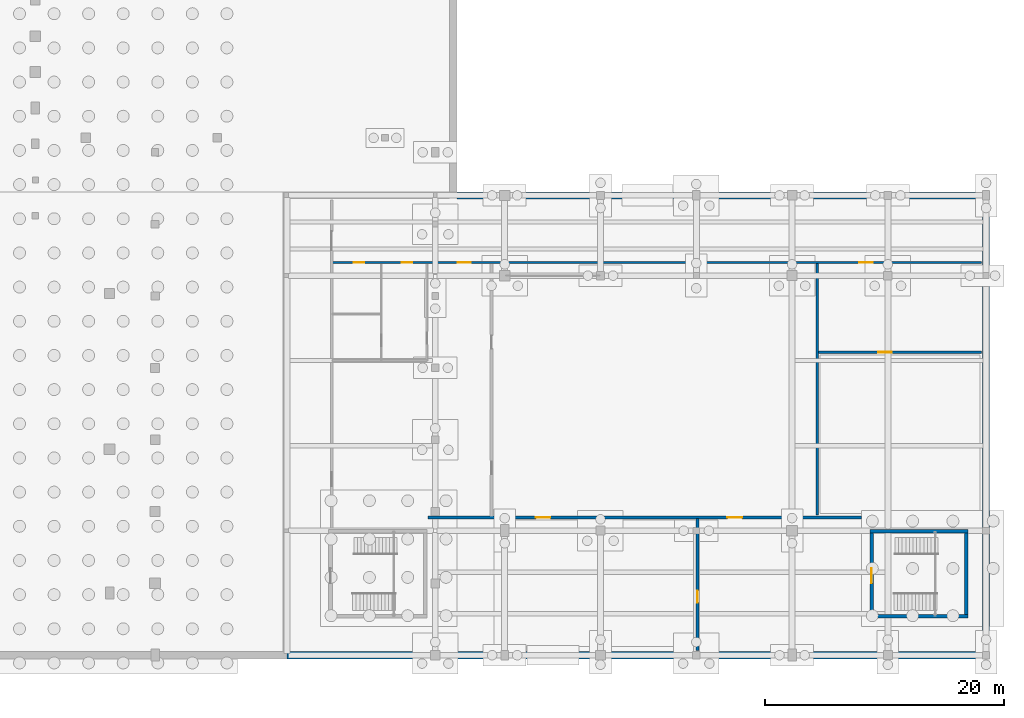
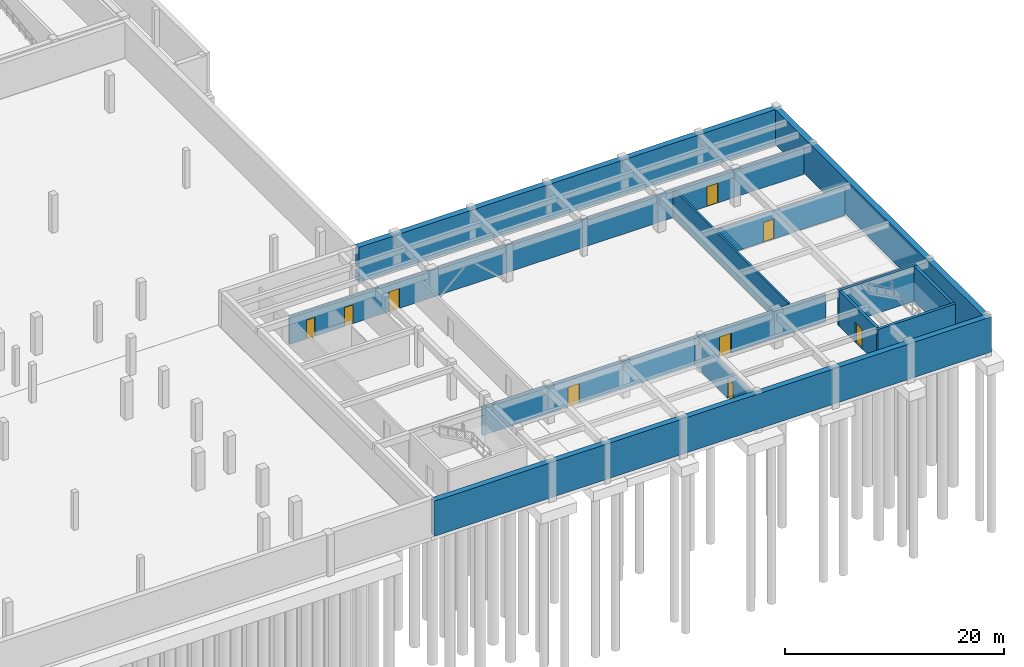
# One storey, part 29 of 36: 12 walls, 9 doors, 9 openings.
"""IFC4 building model written with IfcOpenShell, lengths in metres."""

import ifcopenshell
import ifcopenshell.guid

model = None  # the IFC model being written
_history = None  # IfcOwnerHistory: only IFC2X3 demands one
_inside = {}  # id of a spatial element -> (the spatial element, [elements in it])
_under = {}  # id of a project, library or spatial element -> (it, [spatial elements below it])
_declared = {}  # id of a project -> (the project, [libraries it declares])
_typed = {}  # id of a type object -> (the type object, [elements of that type])
_made_of = {}  # id of a material, layer set ... -> (it, [elements and type objects made of it])


def new_model(schema):
    """Start an empty IFC model of exactly this schema.

    Asked for "IFC4X3", IfcOpenShell would pick the latest addendum, in which some entities
    have other attributes; the version numbers below select the first issue.
    IFC2X3 requires an IfcOwnerHistory on every rooted entity: one is made here for all.
    """
    global model, _history
    if schema == "IFC4X3":
        model = ifcopenshell.file(schema_version=(4, 3, 0, 0))
    else:
        model = ifcopenshell.file(schema=schema)
    _inside.clear()
    _under.clear()
    _declared.clear()
    _typed.clear()
    _made_of.clear()
    _history = None
    if model.schema == "IFC2X3":
        org = make("IfcOrganization", Name="unknown")
        user = make(
            "IfcPersonAndOrganization",
            ThePerson=make("IfcPerson", FamilyName="unknown"),
            TheOrganization=org,
        )
        app = make(
            "IfcApplication",
            ApplicationDeveloper=org,
            Version="unknown",
            ApplicationFullName="unknown",
            ApplicationIdentifier="unknown",
        )
        _history = make(
            "IfcOwnerHistory",
            OwningUser=user,
            OwningApplication=app,
            ChangeAction="ADDED",
            CreationDate=0,
        )
    return model


def make(cls, **values):
    """One entity of the class cls with the attributes given. An attribute that is None is left unset."""
    return model.create_entity(
        cls, **{name: value for name, value in values.items() if value is not None}
    )


def rooted(cls, **values):
    """An entity with a GlobalId (a new one), such as an element, a storey or a relation."""
    return make(cls, GlobalId=ifcopenshell.guid.new(), OwnerHistory=_history, **values)


def si_unit(unit_type, name, prefix=None):
    """IfcSIUnit, for example si_unit("LENGTHUNIT", "METRE", prefix="MILLI")."""
    return make("IfcSIUnit", UnitType=unit_type, Prefix=prefix, Name=name)


def assignment(units):
    """IfcUnitAssignment: the units of a project."""
    return None if units is None else make("IfcUnitAssignment", Units=units)


def point(xyz):
    """IfcCartesianPoint."""
    return None if xyz is None else make("IfcCartesianPoint", Coordinates=xyz)


def direction(xyz):
    """IfcDirection."""
    return None if xyz is None else make("IfcDirection", DirectionRatios=xyz)


def frame(location, z_axis=None, x_axis=None):
    """IfcAxis2Placement3D, a coordinate frame: its origin and axes. An axis left out is left unset."""
    return make(
        "IfcAxis2Placement3D",
        Location=point(location),
        Axis=direction(z_axis),
        RefDirection=direction(x_axis),
    )


def frame_2d(location, x_axis=None):
    """IfcAxis2Placement2D, a coordinate frame in the plane: its origin and x axis."""
    return make(
        "IfcAxis2Placement2D", Location=point(location), RefDirection=direction(x_axis)
    )


def origin():
    """The frame at (0, 0, 0) with its axes left unset."""
    return frame((0.0, 0.0, 0.0))


def place(relative_to, where):
    """IfcLocalPlacement: puts the frame where relative to a parent placement (None: the world)."""
    return make(
        "IfcLocalPlacement", PlacementRelTo=relative_to, RelativePlacement=where
    )


def context(
    kind, dimensions, precision=None, world=None, true_north=None, identifier=None
):
    """IfcGeometricRepresentationContext, for example the 3D "Model" context."""
    return make(
        "IfcGeometricRepresentationContext",
        ContextIdentifier=identifier,
        ContextType=kind,
        CoordinateSpaceDimension=dimensions,
        Precision=precision,
        WorldCoordinateSystem=world,
        TrueNorth=true_north,
    )


def subcontext(parent, identifier, kind, view, scale=None):
    """IfcGeometricRepresentationSubContext, for example "Body" below "Model"."""
    return make(
        "IfcGeometricRepresentationSubContext",
        ContextIdentifier=identifier,
        ContextType=kind,
        ParentContext=parent,
        TargetScale=scale,
        TargetView=view,
    )


def project(units=None, contexts=None):
    """IfcProject with its units and contexts."""
    return rooted(
        "IfcProject",
        Name="project",
        RepresentationContexts=contexts,
        UnitsInContext=assignment(units),
    )


def spatial(cls, under=None, at=None, **own):
    """A site, building, storey or space (cls), placed at a placement, below another one or the project."""
    s = rooted(cls, ObjectPlacement=at, **own)
    if under is not None:
        _under.setdefault(under.id(), (under, []))[1].append(s)
    return s


def profile(cls, at=None, kind="AREA", **sizes):
    """A parametric profile (cls). Its sizes go by their IFC names, for example OverallWidth=200.0."""
    return make(cls, ProfileType=kind, Position=at, **sizes)


def rectangle(**sizes):
    """IfcRectangleProfileDef."""
    return profile("IfcRectangleProfileDef", **sizes)


def extrude(swept, where, along, depth):
    """IfcExtrudedAreaSolid: the profile swept, set in the frame where, extruded along a direction by depth."""
    return make(
        "IfcExtrudedAreaSolid",
        SweptArea=swept,
        Position=where,
        ExtrudedDirection=direction(along),
        Depth=depth,
    )


def shape(context_of_items, identifier, shape_type, items):
    """IfcShapeRepresentation: the items that make up one representation, for example the "Body"."""
    return make(
        "IfcShapeRepresentation",
        ContextOfItems=context_of_items,
        RepresentationIdentifier=identifier,
        RepresentationType=shape_type,
        Items=items,
    )


def material(Name=None, Category=None):
    """IfcMaterial."""
    return make("IfcMaterial", Name=Name, Category=Category)


def layer(
    of_material, thickness, ventilated=None, Name=None, Category=None, Priority=None
):
    """IfcMaterialLayer: one layer of a wall or slab, of a material (None: an air gap)."""
    return make(
        "IfcMaterialLayer",
        Material=of_material,
        LayerThickness=thickness,
        IsVentilated=ventilated,
        Name=Name,
        Category=Category,
        Priority=Priority,
    )


def layer_set(layers, Name=None):
    """IfcMaterialLayerSet."""
    return make("IfcMaterialLayerSet", MaterialLayers=layers, LayerSetName=Name)


def made_of(thing, what):
    """Note that an element or type object is made of a material, layer set ...; save() writes the relation."""
    if what is not None:
        _made_of.setdefault(what.id(), (what, []))[1].append(thing)
    return thing


def type_object(cls, material=None, **own):
    """A type object (cls), such as IfcWallType, which elements share."""
    return made_of(rooted(cls, **own), material)


def element(
    cls,
    number,
    at=None,
    inside=None,
    cuts=None,
    type_object=None,
    material=None,
    context=None,
    identifier="Body",
    shape_type=None,
    held_by="IfcProductDefinitionShape",
    body=None,
    shapes=None,
    **own,
):
    """One element of the class cls, such as IfcWall. Its Tag is "e" and its number.

    at: its placement. inside: the storey or other place that contains it. cuts: it is an
    opening in that element (IfcRelVoidsElement). A single representation is given by context,
    identifier, shape_type and body (its items); several are given by shapes. held_by: the class
    of the entity that holds the representations. save() writes the other relations.
    """
    e = rooted(cls, Tag="e%d" % number, ObjectPlacement=at, **own)
    if body is not None:
        shapes = [shape(context, identifier, shape_type, body)]
    if shapes is not None:
        e.Representation = make(held_by, Representations=shapes)
    if inside is not None:
        _inside.setdefault(inside.id(), (inside, []))[1].append(e)
    if cuts is not None:
        rooted(
            "IfcRelVoidsElement", RelatingBuildingElement=cuts, RelatedOpeningElement=e
        )
    if type_object is not None:
        _typed.setdefault(type_object.id(), (type_object, []))[1].append(e)
    return made_of(e, material)


def fill(opening, filler):
    """IfcRelFillsElement: the door or window that sits in an opening."""
    return rooted(
        "IfcRelFillsElement",
        RelatingOpeningElement=opening,
        RelatedBuildingElement=filler,
    )


def aggregate(whole, parts):
    """IfcRelAggregates: a whole, such as a stair, and the parts it consists of."""
    return rooted("IfcRelAggregates", RelatingObject=whole, RelatedObjects=parts)


def save(model, path):
    """Write the relations noted so far, then the file.

    IfcRelAggregates (storeys below a building ...), IfcRelContainedInSpatialStructure (elements
    in a storey), IfcRelDefinesByType, IfcRelAssociatesMaterial and IfcRelDeclares: one each for
    every whole, place, type object, material and project.
    """
    for whole, parts in _under.values():
        aggregate(whole, parts)
    for where, things in _inside.values():
        rooted(
            "IfcRelContainedInSpatialStructure",
            RelatedElements=things,
            RelatingStructure=where,
        )
    for kind, things in _typed.values():
        rooted("IfcRelDefinesByType", RelatedObjects=things, RelatingType=kind)
    for what, things in _made_of.values():
        rooted("IfcRelAssociatesMaterial", RelatedObjects=things, RelatingMaterial=what)
    for by, libraries in _declared.values():
        rooted("IfcRelDeclares", RelatingContext=by, RelatedDefinitions=libraries)
    model.write(path)


model = new_model("IFC4")

# Units and contexts
model_context = context("Model", 3, precision=1e-05, world=origin(), true_north=direction((0.0, 1.0)))
body_context = subcontext(model_context, "Body", "Model", "MODEL_VIEW")
ifc_project = project(units=[si_unit("LENGTHUNIT", "METRE"), si_unit("AREAUNIT", "SQUARE_METRE"), si_unit("VOLUMEUNIT", "CUBIC_METRE"), si_unit("PLANEANGLEUNIT", "RADIAN"), si_unit("MASSUNIT", "GRAM", prefix="KILO"), si_unit("THERMODYNAMICTEMPERATUREUNIT", "KELVIN"), si_unit("POWERUNIT", "WATT")], contexts=[model_context])

# Site, building, storey
site_placement = place(None, origin())
site = spatial("IfcSite", under=ifc_project, at=site_placement, CompositionType="ELEMENT")
building_placement = place(site_placement, origin())
building = spatial("IfcBuilding", under=site, at=building_placement, Name="Solvatero Civic Police Headquarters", CompositionType="ELEMENT")
storey_placement = place(building_placement, frame((0.0, 0.0, -8.39990234375)))
storey = spatial("IfcBuildingStorey", under=building, at=storey_placement, Name="B02", CompositionType="ELEMENT", Elevation=-8.39990234375)

# Wall, openings, doors
ifc_material_1 = material(Name="Concrete Blockwork", Category="masonry")
ifc_layer_1 = layer(ifc_material_1, 0.179931640625)
ifc_layer_set_1 = layer_set([ifc_layer_1], Name="Concrete Blockwork")
wall_type_1 = type_object("IfcWallType", Name="WL-PTN-180", PredefinedType="PARTITIONING", material=ifc_layer_set_1)
wall_1_placement = place(storey_placement, frame((113.60009765625, 37.60009765625, 0.0), z_axis=(0.0, 0.0, 1.0), x_axis=(1.0, 0.0, 0.0)))
wall_1 = element("IfcWall", 1, at=wall_1_placement, inside=storey, type_object=wall_type_1, Name="Interior Partition WLP-B02-CORR-S", PredefinedType="PARTITIONING", context=body_context, shape_type="SweptSolid", body=[
    extrude(rectangle(XDim=54.199951171875, YDim=0.179931640625, at=frame_2d((27.10009765625, 0.0))), origin(), (0.0, 0.0, 1.0), 3.10791015625),
])
opening_1_placement = place(wall_1_placement, frame((10.5, 0.0, 0.0)))
opening_1 = element("IfcOpeningElement", 2, at=opening_1_placement, cuts=wall_1, Name="Opening ID-08", PredefinedType="OPENING", context=body_context, shape_type="SweptSolid", body=[
    extrude(rectangle(XDim=1.080078125, YDim=2.219970703125, at=frame_2d((0.5400390625, 1.10986328125))), frame((0.0, 0.099853515625, 0.0), z_axis=(0.0, -1.0, 0.0), x_axis=(1.0, 0.0, 0.0)), (0.0, 0.0, 1.0), 0.199951171875),
])
opening_2_placement = place(wall_1_placement, frame((44.0, 0.0, 0.0)))
opening_2 = element("IfcOpeningElement", 3, at=opening_2_placement, cuts=wall_1, Name="Opening ID-09", PredefinedType="OPENING", context=body_context, shape_type="SweptSolid", body=[
    extrude(rectangle(XDim=1.1201171875, YDim=2.199951171875, at=frame_2d((0.56005859375, 1.10009765625))), frame((0.0, 0.099853515625, 0.0), z_axis=(0.0, -1.0, 0.0), x_axis=(1.0, 0.0, 0.0)), (0.0, 0.0, 1.0), 0.199951171875),
])
opening_3_placement = place(wall_1_placement, frame((1.800048828125, 0.0, 0.0)))
opening_3 = element("IfcOpeningElement", 4, at=opening_3_placement, cuts=wall_1, Name="Opening ID-01", PredefinedType="OPENING", context=body_context, shape_type="SweptSolid", body=[
    extrude(rectangle(XDim=0.8798828125, YDim=2.10009765625, at=frame_2d((0.43994140625, 1.050048828125))), frame((0.0, 0.099853515625, 0.0), z_axis=(0.0, -1.0, 0.0), x_axis=(1.0, 0.0, 0.0)), (0.0, 0.0, 1.0), 0.199951171875),
])
opening_4_placement = place(wall_1_placement, frame((5.800048828125, 0.0, 0.0)))
opening_4 = element("IfcOpeningElement", 5, at=opening_4_placement, cuts=wall_1, Name="Opening ID-02", PredefinedType="OPENING", context=body_context, shape_type="SweptSolid", body=[
    extrude(rectangle(XDim=0.89990234375, YDim=2.10009765625, at=frame_2d((0.449951171875, 1.050048828125))), frame((0.0, 0.099853515625, 0.0), z_axis=(0.0, -1.0, 0.0), x_axis=(1.0, 0.0, 0.0)), (0.0, 0.0, 1.0), 0.199951171875),
])
ifc_material_2 = material(Name="Powder-Coated Steel", Category="steel")
door_type_1 = type_object("IfcDoorType", Name="DR-LAB-108x222", OperationType="NOTDEFINED", PredefinedType="DOOR", material=ifc_material_2)
door_1_placement = place(opening_1_placement, origin())
door_1 = element("IfcDoor", 6, at=door_1_placement, inside=storey, type_object=door_type_1, Name="Interior Door DR-B02-WEAP", OperationType="SINGLE_SWING_RIGHT", OverallHeight=2.219970703125, OverallWidth=1.080078125, PredefinedType="DOOR", context=body_context, shape_type="SweptSolid", body=[
    extrude(rectangle(XDim=1.080078125, YDim=2.219970703125, at=frame_2d((0.5400390625, 1.10986328125))), frame((0.0, 0.02490234375, 0.0), z_axis=(0.0, -1.0, 0.0), x_axis=(1.0, 0.0, 0.0)), (0.0, 0.0, 1.0), 0.050048828125),
])
fill(opening_1, door_1)
ifc_material_3 = material(Name="Acoustic Oak Timber Veneer", Category="wood")
door_type_2 = type_object("IfcDoorType", Name="DR-OFF-088x210", OperationType="NOTDEFINED", PredefinedType="DOOR", material=ifc_material_3)
door_2_placement = place(opening_3_placement, origin())
door_2 = element("IfcDoor", 7, at=door_2_placement, inside=storey, type_object=door_type_2, Name="Interior Door DR-B02-WCM", OperationType="SINGLE_SWING_RIGHT", OverallHeight=2.10009765625, OverallWidth=0.8798828125, PredefinedType="DOOR", context=body_context, shape_type="SweptSolid", body=[
    extrude(rectangle(XDim=0.8798828125, YDim=2.10009765625, at=frame_2d((0.43994140625, 1.050048828125))), frame((0.0, 0.02490234375, 0.0), z_axis=(0.0, -1.0, 0.0), x_axis=(1.0, 0.0, 0.0)), (0.0, 0.0, 1.0), 0.050048828125),
])
fill(opening_3, door_2)
door_type_3 = type_object("IfcDoorType", Name="DR-OFF-090x210", OperationType="NOTDEFINED", PredefinedType="DOOR", material=ifc_material_3)
door_3_placement = place(opening_4_placement, origin())
door_3 = element("IfcDoor", 8, at=door_3_placement, inside=storey, type_object=door_type_3, Name="Interior Door DR-B02-WCF", OperationType="SINGLE_SWING_LEFT", OverallHeight=2.10009765625, OverallWidth=0.89990234375, PredefinedType="DOOR", context=body_context, shape_type="SweptSolid", body=[
    extrude(rectangle(XDim=0.89990234375, YDim=2.10009765625, at=frame_2d((0.449951171875, 1.050048828125))), frame((0.0, 0.02490234375, 0.0), z_axis=(0.0, -1.0, 0.0), x_axis=(1.0, 0.0, 0.0)), (0.0, 0.0, 1.0), 0.050048828125),
])
fill(opening_4, door_3)
door_type_4 = type_object("IfcDoorType", Name="DR-PLT-112x220", OperationType="NOTDEFINED", PredefinedType="DOOR", material=ifc_material_2)
door_4_placement = place(opening_2_placement, origin())
door_4 = element("IfcDoor", 9, at=door_4_placement, inside=storey, type_object=door_type_4, Name="Interior Door DR-B02-HPUMP", OperationType="SINGLE_SWING_LEFT", OverallHeight=2.199951171875, OverallWidth=1.1201171875, PredefinedType="DOOR", context=body_context, shape_type="SweptSolid", body=[
    extrude(rectangle(XDim=1.1201171875, YDim=2.199951171875, at=frame_2d((0.56005859375, 1.10009765625))), frame((0.0, 0.02490234375, 0.0), z_axis=(0.0, -1.0, 0.0), x_axis=(1.0, 0.0, 0.0)), (0.0, 0.0, 1.0), 0.050048828125),
])
fill(opening_2, door_4)

# Wall
ifc_layer_2 = layer(ifc_material_1, 0.199951171875)
ifc_layer_set_2 = layer_set([ifc_layer_2], Name="Concrete Blockwork")
wall_type_2 = type_object("IfcWallType", Name="WL-PTN-200", PredefinedType="PARTITIONING", material=ifc_layer_set_2)
wall_2_placement = place(storey_placement, frame((154.10009765625, 16.5, 0.0), z_axis=(0.0, 0.0, 1.0), x_axis=(0.0, 1.0, 0.0)))
element("IfcWall", 10, at=wall_2_placement, inside=storey, type_object=wall_type_2, Name="Interior Partition WLP-B02-RNG-E", PredefinedType="PARTITIONING", context=body_context, shape_type="SweptSolid", body=[
    extrude(rectangle(XDim=21.0, YDim=0.199951171875, at=frame_2d((10.5, 0.0))), origin(), (0.0, 0.0, 1.0), 3.2080078125),
])

# Wall, opening, door
wall_3_placement = place(storey_placement, frame((154.199951171875, 30.10009765625, 0.0), z_axis=(0.0, 0.0, 1.0), x_axis=(1.0, 0.0, 0.0)))
wall_3 = element("IfcWall", 11, at=wall_3_placement, inside=storey, type_object=wall_type_2, Name="Interior Partition WLP-B02-PLT-DIV", PredefinedType="PARTITIONING", context=body_context, shape_type="SweptSolid", body=[
    extrude(rectangle(XDim=13.60009765625, YDim=0.199951171875, at=frame_2d((6.800048828125, 0.0))), origin(), (0.0, 0.0, 1.0), 3.10791015625),
])
opening_5_placement = place(wall_3_placement, frame((5.0, 0.0, 0.0)))
opening_5 = element("IfcOpeningElement", 12, at=opening_5_placement, cuts=wall_3, Name="Opening ID-09", PredefinedType="OPENING", context=body_context, shape_type="SweptSolid", body=[
    extrude(rectangle(XDim=1.1201171875, YDim=2.199951171875, at=frame_2d((0.56005859375, 1.10009765625))), frame((0.0, 0.10986328125, 0.0), z_axis=(0.0, -1.0, 0.0), x_axis=(1.0, 0.0, 0.0)), (0.0, 0.0, 1.0), 0.219970703125),
])
door_5_placement = place(opening_5_placement, origin())
door_5 = element("IfcDoor", 13, at=door_5_placement, inside=storey, type_object=door_type_4, Name="Interior Door DR-B02-WPLT", OperationType="SINGLE_SWING_LEFT", OverallHeight=2.199951171875, OverallWidth=1.1201171875, PredefinedType="DOOR", context=body_context, shape_type="SweptSolid", body=[
    extrude(rectangle(XDim=1.1201171875, YDim=2.199951171875, at=frame_2d((0.56005859375, 1.10009765625))), frame((0.0, 0.02490234375, 0.0), z_axis=(0.0, -1.0, 0.0), x_axis=(1.0, 0.0, 0.0)), (0.0, 0.0, 1.0), 0.050048828125),
])
fill(opening_5, door_5)

# Walls
ifc_material_4 = material(Name="Concrete C35/45", Category="concrete")
ifc_layer_3 = layer(ifc_material_4, 0.60009765625)
ifc_layer_set_3 = layer_set([ifc_layer_3], Name="Concrete C35/45")
wall_type_3 = type_object("IfcWallType", Name="WL-RET-600", PredefinedType="USERDEFINED", material=ifc_layer_set_3)
wall_4_placement = place(storey_placement, frame((109.800048828125, 4.800048828125, 0.0), z_axis=(0.0, 0.0, 1.0), x_axis=(1.0, 0.0, 0.0)))
element("IfcWall", 14, at=wall_4_placement, inside=storey, type_object=wall_type_3, Name="B02 Watertight Tanked Retaining Wall RW-PERIM-ES", ObjectType="RETAINING WALL", PredefinedType="USERDEFINED", context=body_context, shape_type="SweptSolid", body=[
    extrude(rectangle(XDim=58.699951171875, YDim=0.60009765625, at=frame_2d((29.35009765625, 0.0))), origin(), (0.0, 0.0, 1.0), 3.919921875),
])
wall_5_placement = place(storey_placement, frame((168.199951171875, 5.10009765625, 0.0), z_axis=(0.0, 0.0, 1.0), x_axis=(0.0, 1.0, 0.0)))
element("IfcWall", 15, at=wall_5_placement, inside=storey, type_object=wall_type_3, Name="B02 Watertight Tanked Retaining Wall RW-PERIM-EE", ObjectType="RETAINING WALL", PredefinedType="USERDEFINED", context=body_context, shape_type="SweptSolid", body=[
    extrude(rectangle(XDim=38.099853515625, YDim=0.60009765625, at=frame_2d((19.0498046875, 0.0))), origin(), (0.0, 0.0, 1.0), 3.919921875),
])
wall_6_placement = place(storey_placement, frame((124.0, 43.199951171875, 0.0), z_axis=(0.0, 0.0, 1.0), x_axis=(1.0, 0.0, 0.0)))
element("IfcWall", 16, at=wall_6_placement, inside=storey, type_object=wall_type_3, Name="B02 Watertight Tanked Retaining Wall RW-PERIM-ENE", ObjectType="RETAINING WALL", PredefinedType="USERDEFINED", context=body_context, shape_type="SweptSolid", body=[
    extrude(rectangle(XDim=43.89990234375, YDim=0.60009765625, at=frame_2d((21.949951171875, 0.0))), origin(), (0.0, 0.0, 1.0), 3.919921875),
])
ifc_material_5 = material(Name="Concrete C40/50", Category="concrete")
ifc_layer_4 = layer(ifc_material_5, 0.300048828125)
ifc_layer_set_4 = layer_set([ifc_layer_4], Name="Concrete C40/50")
wall_type_4 = type_object("IfcWallType", Name="WL-SHR-300", PredefinedType="SHEAR", material=ifc_layer_set_4)
for number, where, z_axis, x_axis, name in (
    (17, (158.5, 8.050048828125, 0.0), (0.0, 0.0, 1.0), (1.0, 0.0, 0.0), "Core C6 Shear Wall S B02"),
    (18, (158.5, 15.14990234375, 0.0), (0.0, 0.0, 1.0), (1.0, 0.0, 0.0), "Core C6 Shear Wall N B02"),
):
    element("IfcWall", number, at=place(storey_placement, frame(where, z_axis=z_axis, x_axis=x_axis)), inside=storey, type_object=wall_type_4, Name=name, PredefinedType="SHEAR", context=body_context, shape_type="SweptSolid", body=[
        extrude(rectangle(XDim=8.199951171875, YDim=0.300048828125, at=frame_2d((4.10009765625, 0.0))), origin(), (0.0, 0.0, 1.0), 3.919921875),
    ])

# Wall, opening, door
wall_7_placement = place(storey_placement, frame((158.64990234375, 8.199951171875, 0.0), z_axis=(0.0, 0.0, 1.0), x_axis=(0.0, 1.0, 0.0)))
wall_7 = element("IfcWall", 19, at=wall_7_placement, inside=storey, type_object=wall_type_4, Name="Core C6 Shear Wall W B02", PredefinedType="SHEAR", context=body_context, shape_type="SweptSolid", body=[
    extrude(rectangle(XDim=6.800048828125, YDim=0.300048828125, at=frame_2d((3.39990234375, 0.0))), origin(), (0.0, 0.0, 1.0), 3.919921875),
])
opening_6_placement = place(wall_7_placement, frame((2.60009765625, 0.0, 0.0)))
opening_6 = element("IfcOpeningElement", 20, at=opening_6_placement, cuts=wall_7, Name="Opening FD-01", PredefinedType="OPENING", context=body_context, shape_type="SweptSolid", body=[
    extrude(rectangle(XDim=1.25, YDim=2.199951171875, at=frame_2d((0.625, 1.10009765625))), frame((0.0, 0.159912109375, 0.0), z_axis=(0.0, -1.0, 0.0), x_axis=(1.0, 0.0, 0.0)), (0.0, 0.0, 1.0), 0.320068359375),
])
door_type_5 = type_object("IfcDoorType", Name="DR-STR-125x220", OperationType="NOTDEFINED", PredefinedType="DOOR", material=ifc_material_2)
door_6_placement = place(opening_6_placement, origin())
door_6 = element("IfcDoor", 21, at=door_6_placement, inside=storey, type_object=door_type_5, Name="Interior Door DR-STR-C6-B02", OperationType="SINGLE_SWING_LEFT", OverallHeight=2.199951171875, OverallWidth=1.25, PredefinedType="DOOR", context=body_context, shape_type="SweptSolid", body=[
    extrude(rectangle(XDim=1.25, YDim=2.199951171875, at=frame_2d((0.625, 1.10009765625))), frame((0.0, 0.02490234375, 0.0), z_axis=(0.0, -1.0, 0.0), x_axis=(1.0, 0.0, 0.0)), (0.0, 0.0, 1.0), 0.050048828125),
])
fill(opening_6, door_6)

# Wall
wall_8_placement = place(storey_placement, frame((166.550048828125, 8.199951171875, 0.0), z_axis=(0.0, 0.0, 1.0), x_axis=(0.0, 1.0, 0.0)))
element("IfcWall", 22, at=wall_8_placement, inside=storey, type_object=wall_type_4, Name="Core C6 Shear Wall E B02", PredefinedType="SHEAR", context=body_context, shape_type="SweptSolid", body=[
    extrude(rectangle(XDim=6.800048828125, YDim=0.300048828125, at=frame_2d((3.39990234375, 0.0))), origin(), (0.0, 0.0, 1.0), 3.919921875),
])

# Wall, openings, doors
ifc_layer_5 = layer(ifc_material_4, 0.260009765625)
ifc_layer_set_5 = layer_set([ifc_layer_5], Name="Concrete C35/45")
wall_type_5 = type_object("IfcWallType", Name="WL-VAULT-260", PredefinedType="PARTITIONING", material=ifc_layer_set_5)
wall_9_placement = place(storey_placement, frame((121.60009765625, 16.300048828125, 0.0), z_axis=(0.0, 0.0, 1.0), x_axis=(1.0, 0.0, 0.0)))
wall_9 = element("IfcWall", 23, at=wall_9_placement, inside=storey, type_object=wall_type_5, Name="Interior Partition WLP-B02-RNG-S", PredefinedType="PARTITIONING", context=body_context, shape_type="SweptSolid", body=[
    extrude(rectangle(XDim=36.199951171875, YDim=0.260009765625, at=frame_2d((18.10009765625, 0.0))), origin(), (0.0, 0.0, 1.0), 3.10791015625),
])
opening_7_placement = place(wall_9_placement, frame((9.0, 0.0, 0.0)))
opening_7 = element("IfcOpeningElement", 24, at=opening_7_placement, cuts=wall_9, Name="Opening ID-12", PredefinedType="OPENING", context=body_context, shape_type="SweptSolid", body=[
    extrude(rectangle(XDim=1.219970703125, YDim=2.25, at=frame_2d((0.60986328125, 1.125))), frame((0.0, 0.139892578125, 0.0), z_axis=(0.0, -1.0, 0.0), x_axis=(1.0, 0.0, 0.0)), (0.0, 0.0, 1.0), 0.280029296875),
])
opening_8_placement = place(wall_9_placement, frame((25.0, 0.0, 0.0)))
opening_8 = element("IfcOpeningElement", 25, at=opening_8_placement, cuts=wall_9, Name="Opening ID-12", PredefinedType="OPENING", context=body_context, shape_type="SweptSolid", body=[
    extrude(rectangle(XDim=1.219970703125, YDim=2.25, at=frame_2d((0.60986328125, 1.125))), frame((0.0, 0.139892578125, 0.0), z_axis=(0.0, -1.0, 0.0), x_axis=(1.0, 0.0, 0.0)), (0.0, 0.0, 1.0), 0.280029296875),
])
door_type_6 = type_object("IfcDoorType", Name="DR-VLT-122x225", OperationType="NOTDEFINED", PredefinedType="DOOR", material=ifc_material_2)
door_7_placement = place(opening_7_placement, origin())
door_7 = element("IfcDoor", 26, at=door_7_placement, inside=storey, type_object=door_type_6, Name="Interior Door DR-B02-ARMOURY", OperationType="SINGLE_SWING_RIGHT", OverallHeight=2.25, OverallWidth=1.219970703125, PredefinedType="DOOR", context=body_context, shape_type="SweptSolid", body=[
    extrude(rectangle(XDim=1.219970703125, YDim=2.25, at=frame_2d((0.60986328125, 1.125))), frame((0.0, 0.02490234375, 0.0), z_axis=(0.0, -1.0, 0.0), x_axis=(1.0, 0.0, 0.0)), (0.0, 0.0, 1.0), 0.050048828125),
])
fill(opening_7, door_7)
door_8_placement = place(opening_8_placement, origin())
door_8 = element("IfcDoor", 27, at=door_8_placement, inside=storey, type_object=door_type_6, Name="Interior Door DR-B02-AMMO", OperationType="SINGLE_SWING_LEFT", OverallHeight=2.25, OverallWidth=1.219970703125, PredefinedType="DOOR", context=body_context, shape_type="SweptSolid", body=[
    extrude(rectangle(XDim=1.219970703125, YDim=2.25, at=frame_2d((0.60986328125, 1.125))), frame((0.0, 0.02490234375, 0.0), z_axis=(0.0, -1.0, 0.0), x_axis=(1.0, 0.0, 0.0)), (0.0, 0.0, 1.0), 0.050048828125),
])
fill(opening_8, door_8)

# Wall, opening, door
wall_10_placement = place(storey_placement, frame((144.10009765625, 5.199951171875, 0.0), z_axis=(0.0, 0.0, 1.0), x_axis=(0.0, 1.0, 0.0)))
wall_10 = element("IfcWall", 28, at=wall_10_placement, inside=storey, type_object=wall_type_5, Name="Interior Partition WLP-B02-ARM-DIV", PredefinedType="PARTITIONING", context=body_context, shape_type="SweptSolid", body=[
    extrude(rectangle(XDim=11.0, YDim=0.260009765625, at=frame_2d((5.5, 0.0))), origin(), (0.0, 0.0, 1.0), 3.10986328125),
])
opening_9_placement = place(wall_10_placement, frame((4.0, 0.0, 0.0)))
opening_9 = element("IfcOpeningElement", 29, at=opening_9_placement, cuts=wall_10, Name="Opening CD-01", PredefinedType="OPENING", context=body_context, shape_type="SweptSolid", body=[
    extrude(rectangle(XDim=1.0, YDim=2.14990234375, at=frame_2d((0.5, 1.074951171875))), frame((0.0, 0.139892578125, 0.0), z_axis=(0.0, -1.0, 0.0), x_axis=(1.0, 0.0, 0.0)), (0.0, 0.0, 1.0), 0.280029296875),
])
door_type_7 = type_object("IfcDoorType", Name="DR-CEL-100x215", OperationType="NOTDEFINED", PredefinedType="DOOR", material=ifc_material_2)
door_9_placement = place(opening_9_placement, origin())
door_9 = element("IfcDoor", 30, at=door_9_placement, inside=storey, type_object=door_type_7, Name="Interior Door DR-B02-ARM-DIV", OperationType="SINGLE_SWING_RIGHT", OverallHeight=2.14990234375, OverallWidth=1.0, PredefinedType="DOOR", context=body_context, shape_type="SweptSolid", body=[
    extrude(rectangle(XDim=1.0, YDim=2.14990234375, at=frame_2d((0.5, 1.074951171875))), frame((0.0, 0.02490234375, 0.0), z_axis=(0.0, -1.0, 0.0), x_axis=(1.0, 0.0, 0.0)), (0.0, 0.0, 1.0), 0.050048828125),
])
fill(opening_9, door_9)

save(model, "model.ifc")
